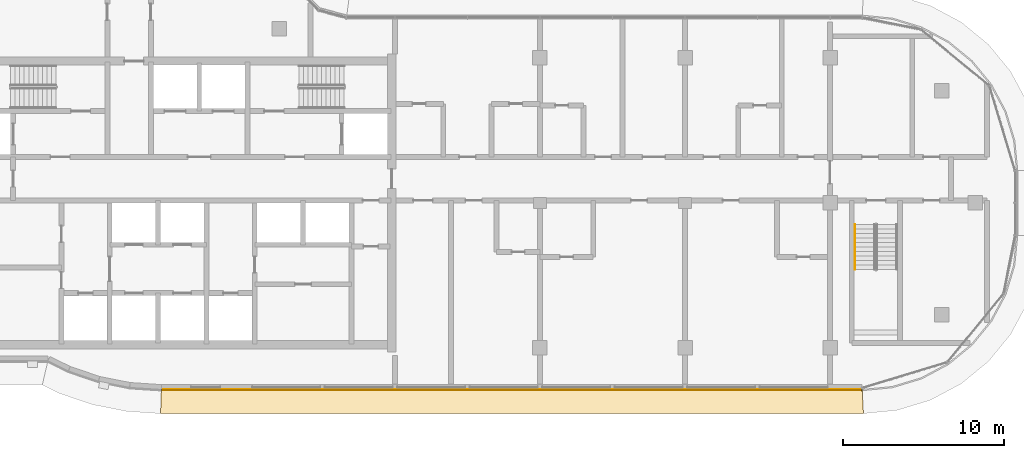
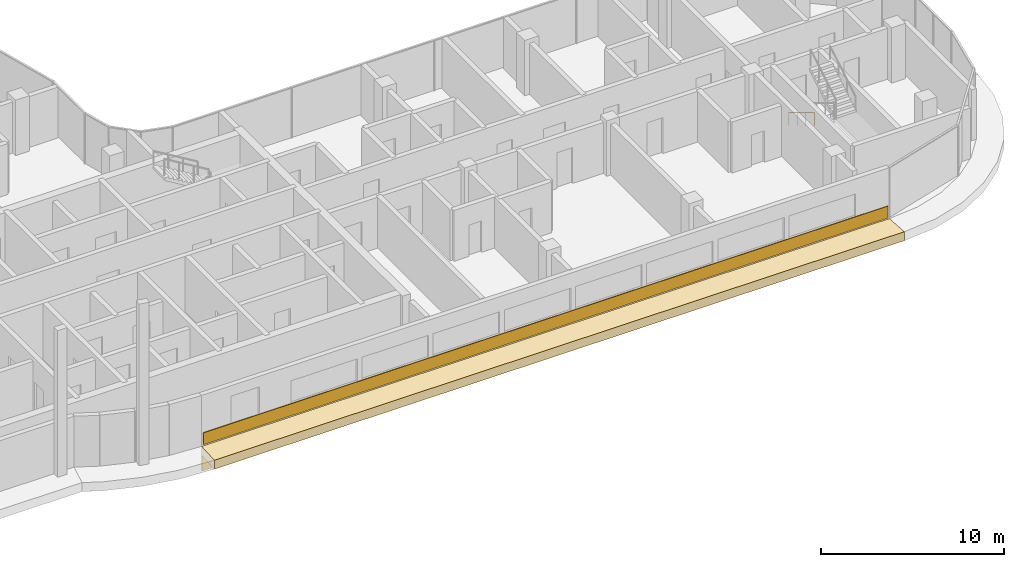
# One storey, part 18 of 20: 3 coverings, 1 railing.
"""IFC4 building model written with IfcOpenShell, lengths in metres."""

from ifc_helpers import new_model, si_unit, direction, frame, origin, origin_2d, place, context, subcontext, project, spatial, polyline, rectangle, circle, outline, extrude, material, layer, layer_set, type_object, element, save


model = new_model("IFC4")

# Units and contexts
model_context = context("Model", 3, precision=1e-05, world=origin(), true_north=direction((0.0, 1.0)))
body_context = subcontext(model_context, "Body", "Model", "MODEL_VIEW")
ifc_project = project(units=[si_unit("LENGTHUNIT", "METRE"), si_unit("AREAUNIT", "SQUARE_METRE"), si_unit("VOLUMEUNIT", "CUBIC_METRE"), si_unit("PLANEANGLEUNIT", "RADIAN"), si_unit("MASSUNIT", "GRAM", prefix="KILO")], contexts=[model_context])

# Site, building, storey
site_placement = place(None, origin())
site = spatial("IfcSite", under=ifc_project, at=site_placement, CompositionType="ELEMENT")
building_placement = place(site_placement, origin())
building = spatial("IfcBuilding", under=site, at=building_placement, Name="Ogive Portal Towers", CompositionType="ELEMENT")
storey_placement = place(building_placement, frame((0.0, 0.0, 232.800048828125)))
storey = spatial("IfcBuildingStorey", under=building, at=storey_placement, Name="L58", CompositionType="ELEMENT", Elevation=232.800048828125)

# Railing
ifc_material_1 = material(Name="Stainless steel handrail", Category="steel")
railing_type = type_object("IfcRailingType", Name="INT-HANDRAIL", PredefinedType="HANDRAIL", material=ifc_material_1)
railing_placement = place(storey_placement, frame((87.050048828125, 29.169921875, 0.168212890625)))
element("IfcRailing", 1, at=railing_placement, inside=storey, type_object=railing_type, Name="L58 ST-A4 stair handrail 1", PredefinedType="HANDRAIL", context=body_context, shape_type="SweptSolid", body=[
    extrude(circle(Radius=0.02392578125, at=origin_2d()), frame((0.0, 0.0, 0.8759765625), z_axis=(0.0, -0.857255387014, 0.514891446264), x_axis=(1.0, 0.0, 0.0)), (0.0, 0.0, 1.0), 3.26611328125),
    extrude(circle(Radius=0.02099609375, at=origin_2d()), origin(), (0.0, 0.0, 1.0), 0.851806640625),
    extrude(circle(Radius=0.02099609375, at=origin_2d()), frame((0.0, -0.933349609375, 0.560546875)), (0.0, 0.0, 1.0), 0.851806640625),
    extrude(circle(Radius=0.02099609375, at=origin_2d()), frame((0.0, -1.866455078125, 1.12109375)), (0.0, 0.0, 1.0), 0.851806640625),
    extrude(circle(Radius=0.02099609375, at=origin_2d()), frame((0.0, -2.7998046875, 1.681640625)), (0.0, 0.0, 1.0), 0.851806640625),
])

# Coverings
ifc_material_2 = material(Name="Limestone cladding on lightweight block wall", Category="masonry")
ifc_layer_1 = layer(ifc_material_2, 0.050048828125)
ifc_layer_set_1 = layer_set([ifc_layer_1], Name="SCREEN PERFORATED STONE")
covering_type_1 = type_object("IfcCoveringType", Name="SCREEN PERFORATED STONE", PredefinedType="CLADDING", material=ifc_layer_set_1)
covering_1_placement = place(storey_placement, frame((65.7490234375, 18.89990234375, 0.10009765625), z_axis=(0.0, 0.0, 1.0), x_axis=(1.0, 0.0, 0.0)))
element("IfcCovering", 2, at=covering_1_placement, inside=storey, type_object=covering_type_1, Name="Tracery screen", PredefinedType="CLADDING", context=body_context, shape_type="SweptSolid", body=[
    extrude(rectangle(XDim=43.2783203125, YDim=0.050048828125, at=origin_2d()), origin(), (0.0, 0.0, 1.0), 0.800048828125),
])
ifc_layer_2 = layer(ifc_material_2, 0.080078125)
ifc_layer_set_2 = layer_set([ifc_layer_2], Name="STONE SPANDREL 80")
covering_type_2 = type_object("IfcCoveringType", Name="STONE SPANDREL 80", PredefinedType="CLADDING", material=ifc_layer_set_2)
covering_2_placement = place(storey_placement, frame((0.0, 0.0, -1.60009765625)))
element("IfcCovering", 3, at=covering_2_placement, inside=storey, type_object=covering_type_2, Name="Stone spandrel A1-F05", PredefinedType="CLADDING", context=body_context, shape_type="SweptSolid", body=[
    extrude(outline(polyline([(44.0, 18.925048828125), (87.5, 18.925048828125), (87.50390625, 18.844970703125), (43.997314453125, 18.844970703125), (44.0, 18.925048828125)])), origin(), (0.0, 0.0, 1.0), 1.0),
])
ifc_layer_3 = layer(ifc_material_2, 0.60009765625)
ifc_layer_set_3 = layer_set([ifc_layer_3], Name="SUNSHADE LIP 600")
covering_type_3 = type_object("IfcCoveringType", Name="SUNSHADE LIP 600", PredefinedType="CLADDING", material=ifc_layer_set_3)
covering_3_placement = place(storey_placement, frame((0.0, 0.0, -0.60009765625)))
element("IfcCovering", 4, at=covering_3_placement, inside=storey, type_object=covering_type_3, Name="Sunshade lip A1-F05", PredefinedType="CLADDING", context=body_context, shape_type="SweptSolid", body=[
    extrude(outline(polyline([(44.0, 18.925048828125), (87.5, 18.925048828125), (87.57373046875, 17.425048828125), (43.950927734375, 17.425048828125), (44.0, 18.925048828125)])), origin(), (0.0, 0.0, 1.0), 0.60009765625),
])

save(model, "model.ifc")
